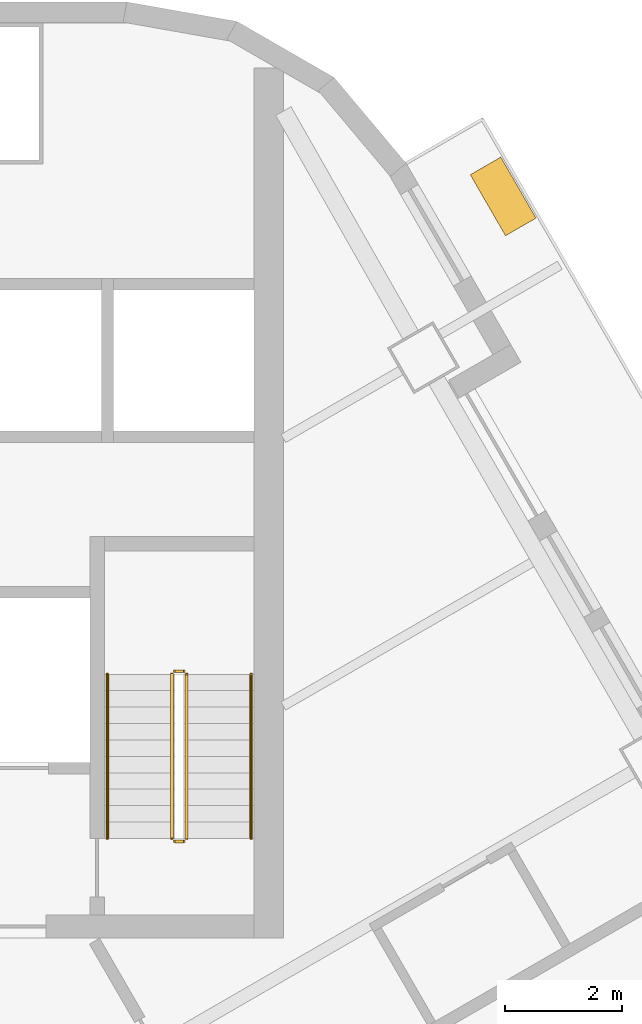
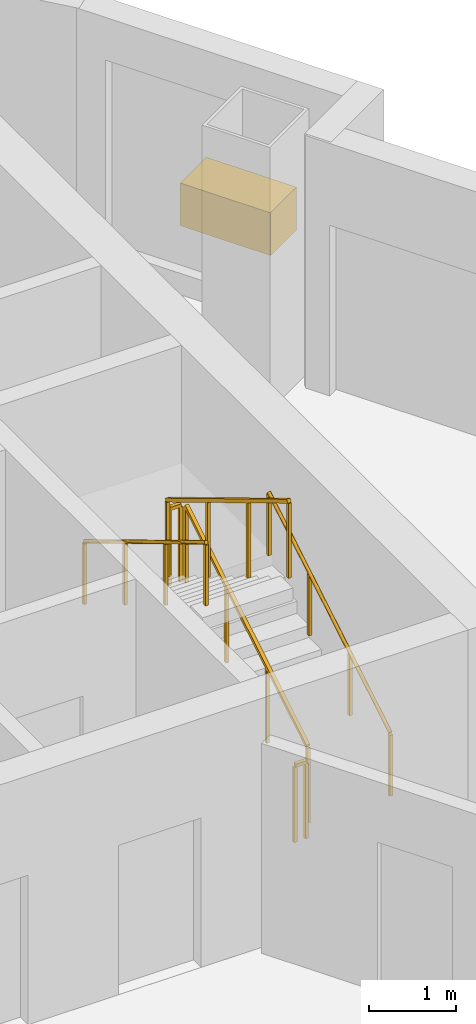
# One storey, part 13 of 13: 6 railings, 1 covering.
"""IFC4 building model written with IfcOpenShell, lengths in metres."""

from ifc_helpers import new_model, si_unit, direction, frame, origin, origin_2d, place, context, subcontext, project, spatial, rectangle, circle, extrude, material, type_object, element, save


model = new_model("IFC4")

# Units and contexts
model_context = context("Model", 3, precision=1e-05, world=origin(), true_north=direction((0.0, 1.0)))
body_context = subcontext(model_context, "Body", "Model", "MODEL_VIEW")
ifc_project = project(units=[si_unit("LENGTHUNIT", "METRE"), si_unit("AREAUNIT", "SQUARE_METRE"), si_unit("VOLUMEUNIT", "CUBIC_METRE"), si_unit("PLANEANGLEUNIT", "RADIAN"), si_unit("MASSUNIT", "GRAM", prefix="KILO")], contexts=[model_context])

# Site, building, storey
site_placement = place(None, origin())
site = spatial("IfcSite", under=ifc_project, at=site_placement, CompositionType="ELEMENT")
building_placement = place(site_placement, origin())
building = spatial("IfcBuilding", under=site, at=building_placement, Name="Apuvela Tower Hotel", CompositionType="ELEMENT")
storey_placement = place(building_placement, frame((0.0, 0.0, 94.60009765625)))
storey = spatial("IfcBuildingStorey", under=building, at=storey_placement, Name="L21", CompositionType="ELEMENT", Elevation=94.60009765625)

# Railings
ifc_material_1 = material(Name="Steel S275 balustrade", Category="steel")
railing_type_1 = type_object("IfcRailingType", Name="COR-GUARD-1100", PredefinedType="GUARDRAIL", material=ifc_material_1)
railing_1_placement = place(storey_placement, frame((3.85009765625, 14.60009765625, 0.16796875)))
element("IfcRailing", 1, at=railing_1_placement, inside=storey, type_object=railing_type_1, Name="L21 ST1 stair guard 1", PredefinedType="GUARDRAIL", context=body_context, shape_type="SweptSolid", body=[
    extrude(rectangle(XDim=0.048095703125, YDim=0.048095703125, at=origin_2d()), frame((0.0, 0.0, 1.076171875), z_axis=(0.0, 0.857222391501, 0.514946377315), x_axis=(-1.0, 0.0, 0.0)), (0.0, 0.0, 1.0), 3.26611328125),
    extrude(rectangle(XDim=0.0419921875, YDim=0.0419921875, at=origin_2d()), origin(), (0.0, 0.0, 1.0), 1.052001953125),
    extrude(rectangle(XDim=0.0419921875, YDim=0.0419921875, at=origin_2d()), frame((0.0, 0.933349609375, 0.560546875)), (0.0, 0.0, 1.0), 1.052001953125),
    extrude(rectangle(XDim=0.0419921875, YDim=0.0419921875, at=origin_2d()), frame((0.0, 1.866455078125, 1.121337890625)), (0.0, 0.0, 1.0), 1.052001953125),
    extrude(rectangle(XDim=0.0419921875, YDim=0.0419921875, at=origin_2d()), frame((0.0, 2.7998046875, 1.681884765625)), (0.0, 0.0, 1.0), 1.052001953125),
])
railing_2_placement = place(storey_placement, frame((3.800048828125, 17.449951171875, 1.849853515625)))
element("IfcRailing", 2, at=railing_2_placement, inside=storey, type_object=railing_type_1, Name="L21 ST1 stair guard 2", PredefinedType="GUARDRAIL", context=body_context, shape_type="SweptSolid", body=[
    extrude(rectangle(XDim=0.048095703125, YDim=0.048095703125, at=origin_2d()), frame((0.0, 0.0, 1.076171875), z_axis=(-1.0, 0.0, 0.0), x_axis=(0.0, -1.0, 0.0)), (0.0, 0.0, 1.0), 0.150146484375),
    extrude(rectangle(XDim=0.0419921875, YDim=0.0419921875, at=origin_2d()), origin(), (0.0, 0.0, 1.0), 1.052001953125),
    extrude(rectangle(XDim=0.0419921875, YDim=0.0419921875, at=origin_2d()), frame((-0.150146484375, 0.0, 0.0)), (0.0, 0.0, 1.0), 1.052001953125),
])
railing_3_placement = place(storey_placement, frame((3.60009765625, 17.39990234375, 2.01806640625)))
element("IfcRailing", 3, at=railing_3_placement, inside=storey, type_object=railing_type_1, Name="L21 ST1 stair guard 3", PredefinedType="GUARDRAIL", context=body_context, shape_type="SweptSolid", body=[
    extrude(rectangle(XDim=0.048095703125, YDim=0.048095703125, at=origin_2d()), frame((0.0, 0.0, 1.076171875), z_axis=(0.0, -0.857222391501, 0.514946377315), x_axis=(1.0, 0.0, 0.0)), (0.0, 0.0, 1.0), 3.26611328125),
    extrude(rectangle(XDim=0.0419921875, YDim=0.0419921875, at=origin_2d()), origin(), (0.0, 0.0, 1.0), 1.052001953125),
    extrude(rectangle(XDim=0.0419921875, YDim=0.0419921875, at=origin_2d()), frame((0.0, -0.933349609375, 0.560546875)), (0.0, 0.0, 1.0), 1.052001953125),
    extrude(rectangle(XDim=0.0419921875, YDim=0.0419921875, at=origin_2d()), frame((0.0, -1.866455078125, 1.121337890625)), (0.0, 0.0, 1.0), 1.052001953125),
    extrude(rectangle(XDim=0.0419921875, YDim=0.0419921875, at=origin_2d()), frame((0.0, -2.7998046875, 1.681884765625)), (0.0, 0.0, 1.0), 1.052001953125),
])
railing_4_placement = place(storey_placement, frame((3.800048828125, 14.550048828125, 0.0)))
element("IfcRailing", 4, at=railing_4_placement, inside=storey, type_object=railing_type_1, Name="L21 ST1 stair guard 4", PredefinedType="GUARDRAIL", context=body_context, shape_type="SweptSolid", body=[
    extrude(rectangle(XDim=0.048095703125, YDim=0.048095703125, at=origin_2d()), frame((0.0, 0.0, 1.076171875), z_axis=(-1.0, 0.0, 0.0), x_axis=(0.0, -1.0, 0.0)), (0.0, 0.0, 1.0), 0.150146484375),
    extrude(rectangle(XDim=0.0419921875, YDim=0.0419921875, at=origin_2d()), origin(), (0.0, 0.0, 1.0), 1.052001953125),
    extrude(rectangle(XDim=0.0419921875, YDim=0.0419921875, at=origin_2d()), frame((-0.150146484375, 0.0, 0.0)), (0.0, 0.0, 1.0), 1.052001953125),
])
ifc_material_2 = material(Name="Stainless steel 316 handrail", Category="steel")
railing_type_2 = type_object("IfcRailingType", Name="COR-HANDRAIL-900", PredefinedType="HANDRAIL", material=ifc_material_2)
railing_5_placement = place(storey_placement, frame((4.949951171875, 14.60009765625, 0.16796875)))
element("IfcRailing", 5, at=railing_5_placement, inside=storey, type_object=railing_type_2, Name="L21 ST1 stair handrail 1", PredefinedType="HANDRAIL", context=body_context, shape_type="SweptSolid", body=[
    extrude(circle(Radius=0.02392578125, at=origin_2d()), frame((0.0, 0.0, 0.8759765625), z_axis=(0.0, 0.857222391501, 0.514946377315), x_axis=(-1.0, 0.0, 0.0)), (0.0, 0.0, 1.0), 3.26611328125),
    extrude(rectangle(XDim=0.0419921875, YDim=0.0419921875, at=origin_2d()), origin(), (0.0, 0.0, 1.0), 0.851806640625),
    extrude(rectangle(XDim=0.0419921875, YDim=0.0419921875, at=origin_2d()), frame((0.0, 0.933349609375, 0.560546875)), (0.0, 0.0, 1.0), 0.851806640625),
    extrude(rectangle(XDim=0.0419921875, YDim=0.0419921875, at=origin_2d()), frame((0.0, 1.866455078125, 1.121337890625)), (0.0, 0.0, 1.0), 0.851806640625),
    extrude(rectangle(XDim=0.0419921875, YDim=0.0419921875, at=origin_2d()), frame((0.0, 2.7998046875, 1.681884765625)), (0.0, 0.0, 1.0), 0.851806640625),
])
railing_6_placement = place(storey_placement, frame((2.5, 17.39990234375, 2.01806640625)))
element("IfcRailing", 6, at=railing_6_placement, inside=storey, type_object=railing_type_2, Name="L21 ST1 stair handrail 2", PredefinedType="HANDRAIL", context=body_context, shape_type="SweptSolid", body=[
    extrude(circle(Radius=0.02392578125, at=origin_2d()), frame((0.0, 0.0, 0.8759765625), z_axis=(0.0, -0.857222391501, 0.514946377315), x_axis=(1.0, 0.0, 0.0)), (0.0, 0.0, 1.0), 3.26611328125),
    extrude(rectangle(XDim=0.0419921875, YDim=0.0419921875, at=origin_2d()), origin(), (0.0, 0.0, 1.0), 0.851806640625),
    extrude(rectangle(XDim=0.0419921875, YDim=0.0419921875, at=origin_2d()), frame((0.0, -0.933349609375, 0.560546875)), (0.0, 0.0, 1.0), 0.851806640625),
    extrude(rectangle(XDim=0.0419921875, YDim=0.0419921875, at=origin_2d()), frame((0.0, -1.866455078125, 1.121337890625)), (0.0, 0.0, 1.0), 0.851806640625),
    extrude(rectangle(XDim=0.0419921875, YDim=0.0419921875, at=origin_2d()), frame((0.0, -2.7998046875, 1.681884765625)), (0.0, 0.0, 1.0), 0.851806640625),
])

# Covering
ifc_material_3 = material(Name="Planting substrate and soil, planted")
covering_type = type_object("IfcCoveringType", Name="ENV-PLANTER-1200x600", PredefinedType="USERDEFINED", material=ifc_material_3)
covering_placement = place(storey_placement, frame((9.24609375, 25.54541015625, -0.000244140625), z_axis=(0.0, 0.0, 1.0), x_axis=(-0.5, 0.866025403784, 0.0)))
element("IfcCovering", 7, at=covering_placement, inside=storey, type_object=covering_type, Name="Planter NE4", ObjectType="PLANTER", PredefinedType="USERDEFINED", context=body_context, shape_type="SweptSolid", body=[
    extrude(rectangle(XDim=1.199951171875, YDim=0.60009765625, at=origin_2d()), origin(), (0.0, 0.0, 1.0), 0.60009765625),
])

save(model, "model.ifc")
